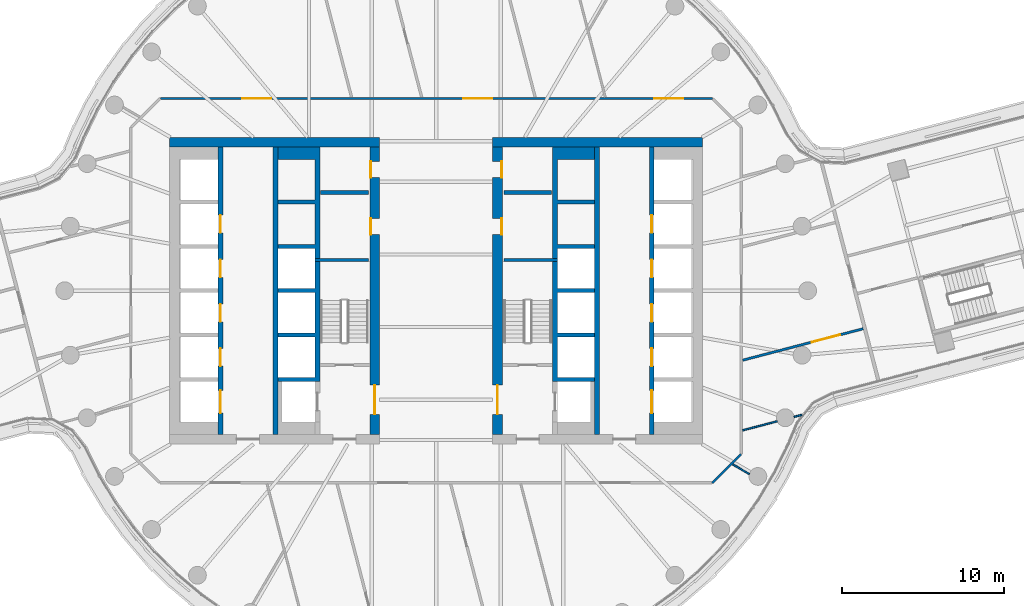
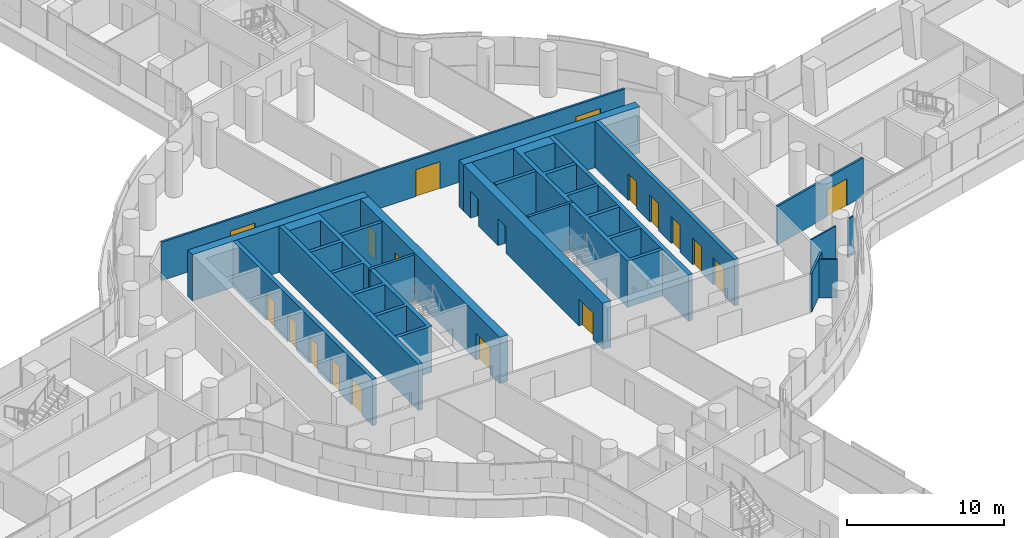
# One storey, part 20 of 30: 20 doors, 20 walls, 20 openings.
"""IFC4 building model written with IfcOpenShell, lengths in metres."""

from ifc_helpers import new_model, si_unit, direction, frame, frame_2d, origin, place, context, subcontext, project, spatial, polyline, rectangle, outline, extrude, material, layer, layer_set, type_object, element, fill, save


model = new_model("IFC4")

# Units and contexts
model_context = context("Model", 3, precision=1e-05, world=origin(), true_north=direction((0.0, 1.0)))
body_context = subcontext(model_context, "Body", "Model", "MODEL_VIEW")
ifc_project = project(units=[si_unit("LENGTHUNIT", "METRE"), si_unit("AREAUNIT", "SQUARE_METRE"), si_unit("VOLUMEUNIT", "CUBIC_METRE"), si_unit("PLANEANGLEUNIT", "RADIAN"), si_unit("MASSUNIT", "GRAM", prefix="KILO")], contexts=[model_context])

# Site, building, storey
site_placement = place(None, origin())
site = spatial("IfcSite", under=ifc_project, at=site_placement, CompositionType="ELEMENT")
building_placement = place(site_placement, origin())
building = spatial("IfcBuilding", under=site, at=building_placement, Name="Tamarind Cross Interchange Tower", CompositionType="ELEMENT")
storey_placement = place(building_placement, frame((0.0, 0.0, 87.25)))
storey = spatial("IfcBuildingStorey", under=building, at=storey_placement, Name="L20", CompositionType="ELEMENT", Elevation=87.25)

# Wall
ifc_material_1 = material(Name="Concrete C70", Category="concrete")
ifc_layer_1 = layer(ifc_material_1, 0.60009765625)
ifc_layer_set_1 = layer_set([ifc_layer_1], Name="Concrete C70")
wall_type_1 = type_object("IfcWallType", Name="Core wall 600 mm Concrete C70", PredefinedType="SHEAR", material=ifc_layer_set_1)
wall_1_placement = place(storey_placement, frame((-16.5, 9.199951171875, 0.0), z_axis=(0.0, 0.0, 1.0), x_axis=(1.0, 0.0, 0.0)))
element("IfcWall", 1, at=wall_1_placement, inside=storey, type_object=wall_type_1, Name="Core wall CWL-L20-W-NE", PredefinedType="SHEAR", context=body_context, shape_type="SweptSolid", body=[
    extrude(rectangle(XDim=13.0, YDim=0.60009765625, at=frame_2d((6.5, 0.0))), origin(), (0.0, 0.0, 1.0), 3.610107421875),
])

# Wall, openings, doors
wall_2_placement = place(storey_placement, frame((-3.800048828125, -8.89990234375, 0.0), z_axis=(0.0, 0.0, 1.0), x_axis=(0.0, 1.0, 0.0)))
wall_2 = element("IfcWall", 2, at=wall_2_placement, inside=storey, type_object=wall_type_1, Name="Core wall CWL-L20-W-IN", PredefinedType="SHEAR", context=body_context, shape_type="SweptSolid", body=[
    extrude(rectangle(XDim=17.7998046875, YDim=0.60009765625, at=frame_2d((8.89990234375, 0.0))), origin(), (0.0, 0.0, 1.0), 3.610107421875),
])
opening_1_placement = place(wall_2_placement, frame((1.25, 0.0, 0.0)))
opening_1 = element("IfcOpeningElement", 3, at=opening_1_placement, cuts=wall_2, Name="Opening DCW4", PredefinedType="OPENING", context=body_context, shape_type="SweptSolid", body=[
    extrude(rectangle(XDim=1.800048828125, YDim=2.10009765625, at=frame_2d((0.89990234375, 1.050048828125))), frame((0.0, 0.31005859375, 0.0), z_axis=(0.0, -1.0, 0.0), x_axis=(1.0, 0.0, 0.0)), (0.0, 0.0, 1.0), 0.6201171875),
])
opening_2_placement = place(wall_2_placement, frame((12.37744140625, 0.0, 0.0)))
opening_2 = element("IfcOpeningElement", 4, at=opening_2_placement, cuts=wall_2, Name="Opening DCW5", PredefinedType="OPENING", context=body_context, shape_type="SweptSolid", body=[
    extrude(rectangle(XDim=1.0, YDim=2.10009765625, at=frame_2d((0.5, 1.050048828125))), frame((0.0, 0.31005859375, 0.0), z_axis=(0.0, -1.0, 0.0), x_axis=(1.0, 0.0, 0.0)), (0.0, 0.0, 1.0), 0.6201171875),
])
opening_3_placement = place(wall_2_placement, frame((15.902587890625, 0.0, 0.0)))
opening_3 = element("IfcOpeningElement", 5, at=opening_3_placement, cuts=wall_2, Name="Opening DCW5", PredefinedType="OPENING", context=body_context, shape_type="SweptSolid", body=[
    extrude(rectangle(XDim=1.0, YDim=2.10009765625, at=frame_2d((0.5, 1.050048828125))), frame((0.0, 0.31005859375, 0.0), z_axis=(0.0, -1.0, 0.0), x_axis=(1.0, 0.0, 0.0)), (0.0, 0.0, 1.0), 0.6201171875),
])
ifc_material_2 = material(Name="Steel, fire-resisting", Category="steel")
door_type_1 = type_object("IfcDoorType", Name="Core fire door 1000 x 2100 FD90", OperationType="SINGLE_SWING_LEFT", PredefinedType="DOOR", material=ifc_material_2)
door_1_placement = place(opening_2_placement, origin())
door_1 = element("IfcDoor", 6, at=door_1_placement, inside=storey, type_object=door_type_1, Name="L20 cleaner's store door", OperationType="SINGLE_SWING_LEFT", OverallHeight=2.10009765625, OverallWidth=1.0, PredefinedType="DOOR", context=body_context, shape_type="SweptSolid", body=[
    extrude(rectangle(XDim=1.0, YDim=2.10009765625, at=frame_2d((0.5, 1.050048828125))), frame((0.0, 0.27490234375, 0.0), z_axis=(0.0, -1.0, 0.0), x_axis=(1.0, 0.0, 0.0)), (0.0, 0.0, 1.0), 0.050048828125),
])
fill(opening_2, door_1)
door_2_placement = place(opening_3_placement, origin())
door_2 = element("IfcDoor", 7, at=door_2_placement, inside=storey, type_object=door_type_1, Name="L20 comms room door", OperationType="SINGLE_SWING_LEFT", OverallHeight=2.10009765625, OverallWidth=1.0, PredefinedType="DOOR", context=body_context, shape_type="SweptSolid", body=[
    extrude(rectangle(XDim=1.0, YDim=2.10009765625, at=frame_2d((0.5, 1.050048828125))), frame((0.0, 0.27490234375, 0.0), z_axis=(0.0, -1.0, 0.0), x_axis=(1.0, 0.0, 0.0)), (0.0, 0.0, 1.0), 0.050048828125),
])
fill(opening_3, door_2)
door_type_2 = type_object("IfcDoorType", Name="Core fire door 1800 x 2100 FD90", OperationType="SINGLE_SWING_LEFT", PredefinedType="DOOR", material=ifc_material_2)
door_3_placement = place(opening_1_placement, origin())
door_3 = element("IfcDoor", 8, at=door_3_placement, inside=storey, type_object=door_type_2, Name="L20 firefighting lobby door", OperationType="SINGLE_SWING_LEFT", OverallHeight=2.10009765625, OverallWidth=1.800048828125, PredefinedType="DOOR", context=body_context, shape_type="SweptSolid", body=[
    extrude(rectangle(XDim=1.800048828125, YDim=2.10009765625, at=frame_2d((0.89990234375, 1.050048828125))), frame((0.0, 0.02490234375, 0.0), z_axis=(0.0, -1.0, 0.0), x_axis=(1.0, 0.0, 0.0)), (0.0, 0.0, 1.0), 0.050048828125),
])
fill(opening_1, door_3)

# Wall
wall_3_placement = place(storey_placement, frame((16.5, 9.199951171875, 0.0), z_axis=(0.0, 0.0, 1.0), x_axis=(-1.0, 0.0, 0.0)))
element("IfcWall", 9, at=wall_3_placement, inside=storey, type_object=wall_type_1, Name="Core wall CWL-L20-E-NE", PredefinedType="SHEAR", context=body_context, shape_type="SweptSolid", body=[
    extrude(rectangle(XDim=13.0, YDim=0.60009765625, at=frame_2d((6.5, 0.0))), origin(), (0.0, 0.0, 1.0), 3.610107421875),
])

# Wall, openings, doors
wall_4_placement = place(storey_placement, frame((3.800048828125, -8.89990234375, 0.0), z_axis=(0.0, 0.0, 1.0), x_axis=(0.0, 1.0, 0.0)))
wall_4 = element("IfcWall", 10, at=wall_4_placement, inside=storey, type_object=wall_type_1, Name="Core wall CWL-L20-E-IN", PredefinedType="SHEAR", context=body_context, shape_type="SweptSolid", body=[
    extrude(rectangle(XDim=17.7998046875, YDim=0.60009765625, at=frame_2d((8.89990234375, 0.0))), origin(), (0.0, 0.0, 1.0), 3.610107421875),
])
opening_4_placement = place(wall_4_placement, frame((1.25, 0.0, 0.0)))
opening_4 = element("IfcOpeningElement", 11, at=opening_4_placement, cuts=wall_4, Name="Opening DCE4", PredefinedType="OPENING", context=body_context, shape_type="SweptSolid", body=[
    extrude(rectangle(XDim=1.800048828125, YDim=2.10009765625, at=frame_2d((0.89990234375, 1.050048828125))), frame((0.0, 0.31005859375, 0.0), z_axis=(0.0, -1.0, 0.0), x_axis=(1.0, 0.0, 0.0)), (0.0, 0.0, 1.0), 0.6201171875),
])
opening_5_placement = place(wall_4_placement, frame((12.37744140625, 0.0, 0.0)))
opening_5 = element("IfcOpeningElement", 12, at=opening_5_placement, cuts=wall_4, Name="Opening DCE5", PredefinedType="OPENING", context=body_context, shape_type="SweptSolid", body=[
    extrude(rectangle(XDim=1.0, YDim=2.10009765625, at=frame_2d((0.5, 1.050048828125))), frame((0.0, 0.31005859375, 0.0), z_axis=(0.0, -1.0, 0.0), x_axis=(1.0, 0.0, 0.0)), (0.0, 0.0, 1.0), 0.6201171875),
])
opening_6_placement = place(wall_4_placement, frame((15.902587890625, 0.0, 0.0)))
opening_6 = element("IfcOpeningElement", 13, at=opening_6_placement, cuts=wall_4, Name="Opening DCE5", PredefinedType="OPENING", context=body_context, shape_type="SweptSolid", body=[
    extrude(rectangle(XDim=1.0, YDim=2.10009765625, at=frame_2d((0.5, 1.050048828125))), frame((0.0, 0.31005859375, 0.0), z_axis=(0.0, -1.0, 0.0), x_axis=(1.0, 0.0, 0.0)), (0.0, 0.0, 1.0), 0.6201171875),
])
door_4_placement = place(opening_5_placement, origin())
door_4 = element("IfcDoor", 14, at=door_4_placement, inside=storey, type_object=door_type_1, Name="L20 cleaner's store door", OperationType="SINGLE_SWING_LEFT", OverallHeight=2.10009765625, OverallWidth=1.0, PredefinedType="DOOR", context=body_context, shape_type="SweptSolid", body=[
    extrude(rectangle(XDim=1.0, YDim=2.10009765625, at=frame_2d((0.5, 1.050048828125))), frame((0.0, -0.22509765625, 0.0), z_axis=(0.0, -1.0, 0.0), x_axis=(1.0, 0.0, 0.0)), (0.0, 0.0, 1.0), 0.050048828125),
])
fill(opening_5, door_4)
door_5_placement = place(opening_6_placement, origin())
door_5 = element("IfcDoor", 15, at=door_5_placement, inside=storey, type_object=door_type_1, Name="L20 comms room door", OperationType="SINGLE_SWING_LEFT", OverallHeight=2.10009765625, OverallWidth=1.0, PredefinedType="DOOR", context=body_context, shape_type="SweptSolid", body=[
    extrude(rectangle(XDim=1.0, YDim=2.10009765625, at=frame_2d((0.5, 1.050048828125))), frame((0.0, -0.22509765625, 0.0), z_axis=(0.0, -1.0, 0.0), x_axis=(1.0, 0.0, 0.0)), (0.0, 0.0, 1.0), 0.050048828125),
])
fill(opening_6, door_5)
door_6_placement = place(opening_4_placement, origin())
door_6 = element("IfcDoor", 16, at=door_6_placement, inside=storey, type_object=door_type_2, Name="L20 firefighting lobby door", OperationType="SINGLE_SWING_LEFT", OverallHeight=2.10009765625, OverallWidth=1.800048828125, PredefinedType="DOOR", context=body_context, shape_type="SweptSolid", body=[
    extrude(rectangle(XDim=1.800048828125, YDim=2.10009765625, at=frame_2d((0.89990234375, 1.050048828125))), frame((0.0, 0.02490234375, 0.0), z_axis=(0.0, -1.0, 0.0), x_axis=(1.0, 0.0, 0.0)), (0.0, 0.0, 1.0), 0.050048828125),
])
fill(opening_4, door_6)

# Walls
ifc_layer_2 = layer(ifc_material_1, 0.199951171875)
ifc_layer_set_2 = layer_set([ifc_layer_2], Name="Concrete C70")
wall_type_2 = type_object("IfcWallType", Name="Core web wall 200 mm Concrete C70", PredefinedType="SHEAR", material=ifc_layer_set_2)
for number, where, z_axis, x_axis, name in (
    (17, (-7.5, 1.89990234375, 0.0), (0.0, 0.0, 1.0), (1.0, 0.0, 0.0), "Core wall CWL-L20-W-BD"),
    (18, (7.5, 1.89990234375, 0.0), (0.0, 0.0, 1.0), (-1.0, 0.0, 0.0), "Core wall CWL-L20-E-BD"),
):
    element("IfcWall", number, at=place(storey_placement, frame(where, z_axis=z_axis, x_axis=x_axis)), inside=storey, type_object=wall_type_2, Name=name, PredefinedType="SHEAR", context=body_context, shape_type="SweptSolid", body=[
        extrude(rectangle(XDim=3.300048828125, YDim=0.199951171875, at=frame_2d((1.64990234375, 0.0))), origin(), (0.0, 0.0, 1.0), 3.610107421875),
    ])
ifc_layer_3 = layer(ifc_material_1, 0.300048828125)
ifc_layer_set_3 = layer_set([ifc_layer_3], Name="Concrete C70")
wall_type_3 = type_object("IfcWallType", Name="Core web wall 300 mm Concrete C70", PredefinedType="SHEAR", material=ifc_layer_set_3)
wall_5_placement = place(storey_placement, origin())
element("IfcWall", 19, at=wall_5_placement, inside=storey, type_object=wall_type_3, Name="Core wall CWL-L20-W-BN", PredefinedType="SHEAR", context=body_context, shape_type="SweptSolid", body=[
    extrude(outline(polyline([(-9.800048828125, -5.375), (-9.800048828125, -5.625), (-7.5, -5.625), (-7.199951171875, -5.625), (-7.199951171875, 8.89990234375), (-7.5, 8.89990234375), (-9.800048828125, 8.89990234375), (-9.800048828125, 8.125), (-7.5, 8.125), (-7.5, 5.625), (-9.800048828125, 5.625), (-9.800048828125, 5.375), (-7.5, 5.375), (-7.5, 2.875), (-9.800048828125, 2.875), (-9.800048828125, 2.625), (-7.5, 2.625), (-7.5, 0.125), (-9.800048828125, 0.125), (-9.800048828125, -0.125), (-7.5, -0.125), (-7.5, -2.625), (-9.800048828125, -2.625), (-9.800048828125, -2.875), (-7.5, -2.875), (-7.5, -5.375), (-9.800048828125, -5.375)])), origin(), (0.0, 0.0, 1.0), 3.610107421875),
])

# Wall, openings, doors
wall_6_placement = place(storey_placement, frame((-13.35009765625, -8.89990234375, 0.0), z_axis=(0.0, 0.0, 1.0), x_axis=(0.0, 1.0, 0.0)))
wall_6 = element("IfcWall", 20, at=wall_6_placement, inside=storey, type_object=wall_type_3, Name="Core wall CWL-L20-W-LA", PredefinedType="SHEAR", context=body_context, shape_type="SweptSolid", body=[
    extrude(rectangle(XDim=17.7998046875, YDim=0.300048828125, at=frame_2d((8.89990234375, 0.0))), origin(), (0.0, 0.0, 1.0), 3.610107421875),
])
opening_7_placement = place(wall_6_placement, frame((1.324951171875, 0.0, 0.0)))
opening_7 = element("IfcOpeningElement", 21, at=opening_7_placement, cuts=wall_6, Name="Opening LD1L20", PredefinedType="OPENING", context=body_context, shape_type="SweptSolid", body=[
    extrude(rectangle(XDim=1.39990234375, YDim=2.10009765625, at=frame_2d((0.699951171875, 1.050048828125))), frame((0.0, 0.159912109375, 0.0), z_axis=(0.0, -1.0, 0.0), x_axis=(1.0, 0.0, 0.0)), (0.0, 0.0, 1.0), 0.320068359375),
])
opening_8_placement = place(wall_6_placement, frame((4.22509765625, 0.0, 0.0)))
opening_8 = element("IfcOpeningElement", 22, at=opening_8_placement, cuts=wall_6, Name="Opening LD2L20", PredefinedType="OPENING", context=body_context, shape_type="SweptSolid", body=[
    extrude(rectangle(XDim=1.10009765625, YDim=2.10009765625, at=frame_2d((0.550048828125, 1.050048828125))), frame((0.0, 0.159912109375, 0.0), z_axis=(0.0, -1.0, 0.0), x_axis=(1.0, 0.0, 0.0)), (0.0, 0.0, 1.0), 0.320068359375),
])
opening_9_placement = place(wall_6_placement, frame((6.97509765625, 0.0, 0.0)))
opening_9 = element("IfcOpeningElement", 23, at=opening_9_placement, cuts=wall_6, Name="Opening LD3L20", PredefinedType="OPENING", context=body_context, shape_type="SweptSolid", body=[
    extrude(rectangle(XDim=1.10009765625, YDim=2.10009765625, at=frame_2d((0.550048828125, 1.050048828125))), frame((0.0, 0.159912109375, 0.0), z_axis=(0.0, -1.0, 0.0), x_axis=(1.0, 0.0, 0.0)), (0.0, 0.0, 1.0), 0.320068359375),
])
opening_10_placement = place(wall_6_placement, frame((9.72509765625, 0.0, 0.0)))
opening_10 = element("IfcOpeningElement", 24, at=opening_10_placement, cuts=wall_6, Name="Opening LD4L20", PredefinedType="OPENING", context=body_context, shape_type="SweptSolid", body=[
    extrude(rectangle(XDim=1.10009765625, YDim=2.10009765625, at=frame_2d((0.550048828125, 1.050048828125))), frame((0.0, 0.159912109375, 0.0), z_axis=(0.0, -1.0, 0.0), x_axis=(1.0, 0.0, 0.0)), (0.0, 0.0, 1.0), 0.320068359375),
])
opening_11_placement = place(wall_6_placement, frame((12.47509765625, 0.0, 0.0)))
opening_11 = element("IfcOpeningElement", 25, at=opening_11_placement, cuts=wall_6, Name="Opening LD5L20", PredefinedType="OPENING", context=body_context, shape_type="SweptSolid", body=[
    extrude(rectangle(XDim=1.10009765625, YDim=2.10009765625, at=frame_2d((0.550048828125, 1.050048828125))), frame((0.0, 0.159912109375, 0.0), z_axis=(0.0, -1.0, 0.0), x_axis=(1.0, 0.0, 0.0)), (0.0, 0.0, 1.0), 0.320068359375),
])
ifc_material_3 = material(Name="Stainless steel panel", Category="steel")
door_type_3 = type_object("IfcDoorType", Name="Lift landing door 1100 x 2100 E 120", OperationType="SLIDING_TO_LEFT", PredefinedType="DOOR", material=ifc_material_3)
door_7_placement = place(opening_8_placement, origin())
door_7 = element("IfcDoor", 26, at=door_7_placement, inside=storey, type_object=door_type_3, Name="L20 landing door LF2", OperationType="SLIDING_TO_LEFT", OverallHeight=2.10009765625, OverallWidth=1.10009765625, PredefinedType="DOOR", context=body_context, shape_type="SweptSolid", body=[
    extrude(rectangle(XDim=1.10009765625, YDim=2.10009765625, at=frame_2d((0.550048828125, 1.050048828125))), frame((0.0, 0.02490234375, 0.0), z_axis=(0.0, -1.0, 0.0), x_axis=(1.0, 0.0, 0.0)), (0.0, 0.0, 1.0), 0.050048828125),
])
fill(opening_8, door_7)
door_8_placement = place(opening_9_placement, origin())
door_8 = element("IfcDoor", 27, at=door_8_placement, inside=storey, type_object=door_type_3, Name="L20 landing door LF3", OperationType="SLIDING_TO_LEFT", OverallHeight=2.10009765625, OverallWidth=1.10009765625, PredefinedType="DOOR", context=body_context, shape_type="SweptSolid", body=[
    extrude(rectangle(XDim=1.10009765625, YDim=2.10009765625, at=frame_2d((0.550048828125, 1.050048828125))), frame((0.0, 0.02490234375, 0.0), z_axis=(0.0, -1.0, 0.0), x_axis=(1.0, 0.0, 0.0)), (0.0, 0.0, 1.0), 0.050048828125),
])
fill(opening_9, door_8)
door_9_placement = place(opening_10_placement, origin())
door_9 = element("IfcDoor", 28, at=door_9_placement, inside=storey, type_object=door_type_3, Name="L20 landing door LF4", OperationType="SLIDING_TO_LEFT", OverallHeight=2.10009765625, OverallWidth=1.10009765625, PredefinedType="DOOR", context=body_context, shape_type="SweptSolid", body=[
    extrude(rectangle(XDim=1.10009765625, YDim=2.10009765625, at=frame_2d((0.550048828125, 1.050048828125))), frame((0.0, 0.02490234375, 0.0), z_axis=(0.0, -1.0, 0.0), x_axis=(1.0, 0.0, 0.0)), (0.0, 0.0, 1.0), 0.050048828125),
])
fill(opening_10, door_9)
door_10_placement = place(opening_11_placement, origin())
door_10 = element("IfcDoor", 29, at=door_10_placement, inside=storey, type_object=door_type_3, Name="L20 landing door LF5", OperationType="SLIDING_TO_LEFT", OverallHeight=2.10009765625, OverallWidth=1.10009765625, PredefinedType="DOOR", context=body_context, shape_type="SweptSolid", body=[
    extrude(rectangle(XDim=1.10009765625, YDim=2.10009765625, at=frame_2d((0.550048828125, 1.050048828125))), frame((0.0, 0.02490234375, 0.0), z_axis=(0.0, -1.0, 0.0), x_axis=(1.0, 0.0, 0.0)), (0.0, 0.0, 1.0), 0.050048828125),
])
fill(opening_11, door_10)
door_type_4 = type_object("IfcDoorType", Name="Lift landing door 1400 x 2100 E 120", OperationType="SLIDING_TO_LEFT", PredefinedType="DOOR", material=ifc_material_3)
door_11_placement = place(opening_7_placement, origin())
door_11 = element("IfcDoor", 30, at=door_11_placement, inside=storey, type_object=door_type_4, Name="L20 landing door LF1", OperationType="SLIDING_TO_LEFT", OverallHeight=2.10009765625, OverallWidth=1.39990234375, PredefinedType="DOOR", context=body_context, shape_type="SweptSolid", body=[
    extrude(rectangle(XDim=1.39990234375, YDim=2.10009765625, at=frame_2d((0.699951171875, 1.050048828125))), frame((0.0, 0.02490234375, 0.0), z_axis=(0.0, -1.0, 0.0), x_axis=(1.0, 0.0, 0.0)), (0.0, 0.0, 1.0), 0.050048828125),
])
fill(opening_7, door_11)

# Walls
wall_7_placement = place(storey_placement, frame((-9.949951171875, -8.89990234375, 0.0), z_axis=(0.0, 0.0, 1.0), x_axis=(0.0, 1.0, 0.0)))
element("IfcWall", 31, at=wall_7_placement, inside=storey, type_object=wall_type_3, Name="Core wall CWL-L20-W-LB", PredefinedType="SHEAR", context=body_context, shape_type="SweptSolid", body=[
    extrude(rectangle(XDim=17.7998046875, YDim=0.300048828125, at=frame_2d((8.89990234375, 0.0))), origin(), (0.0, 0.0, 1.0), 3.610107421875),
])
wall_8_placement = place(storey_placement, origin())
element("IfcWall", 32, at=wall_8_placement, inside=storey, type_object=wall_type_3, Name="Core wall CWL-L20-E-BN", PredefinedType="SHEAR", context=body_context, shape_type="SweptSolid", body=[
    extrude(outline(polyline([(9.800048828125, -5.375), (7.5, -5.375), (7.5, -2.875), (9.800048828125, -2.875), (9.800048828125, -2.625), (7.5, -2.625), (7.5, -0.125), (9.800048828125, -0.125), (9.800048828125, 0.125), (7.5, 0.125), (7.5, 2.625), (9.800048828125, 2.625), (9.800048828125, 2.875), (7.5, 2.875), (7.5, 5.375), (9.800048828125, 5.375), (9.800048828125, 5.625), (7.5, 5.625), (7.5, 8.125), (9.800048828125, 8.125), (9.800048828125, 8.89990234375), (7.5, 8.89990234375), (7.199951171875, 8.89990234375), (7.199951171875, -5.625), (7.5, -5.625), (9.800048828125, -5.625), (9.800048828125, -5.375)])), origin(), (0.0, 0.0, 1.0), 3.610107421875),
])

# Wall, openings, doors
wall_9_placement = place(storey_placement, frame((13.35009765625, -8.89990234375, 0.0), z_axis=(0.0, 0.0, 1.0), x_axis=(0.0, 1.0, 0.0)))
wall_9 = element("IfcWall", 33, at=wall_9_placement, inside=storey, type_object=wall_type_3, Name="Core wall CWL-L20-E-LA", PredefinedType="SHEAR", context=body_context, shape_type="SweptSolid", body=[
    extrude(rectangle(XDim=17.7998046875, YDim=0.300048828125, at=frame_2d((8.89990234375, 0.0))), origin(), (0.0, 0.0, 1.0), 3.610107421875),
])
opening_12_placement = place(wall_9_placement, frame((1.324951171875, 0.0, 0.0)))
opening_12 = element("IfcOpeningElement", 34, at=opening_12_placement, cuts=wall_9, Name="Opening LD13L20", PredefinedType="OPENING", context=body_context, shape_type="SweptSolid", body=[
    extrude(rectangle(XDim=1.39990234375, YDim=2.10009765625, at=frame_2d((0.699951171875, 1.050048828125))), frame((0.0, 0.159912109375, 0.0), z_axis=(0.0, -1.0, 0.0), x_axis=(1.0, 0.0, 0.0)), (0.0, 0.0, 1.0), 0.320068359375),
])
opening_13_placement = place(wall_9_placement, frame((4.22509765625, 0.0, 0.0)))
opening_13 = element("IfcOpeningElement", 35, at=opening_13_placement, cuts=wall_9, Name="Opening LD14L20", PredefinedType="OPENING", context=body_context, shape_type="SweptSolid", body=[
    extrude(rectangle(XDim=1.10009765625, YDim=2.10009765625, at=frame_2d((0.550048828125, 1.050048828125))), frame((0.0, 0.159912109375, 0.0), z_axis=(0.0, -1.0, 0.0), x_axis=(1.0, 0.0, 0.0)), (0.0, 0.0, 1.0), 0.320068359375),
])
opening_14_placement = place(wall_9_placement, frame((6.97509765625, 0.0, 0.0)))
opening_14 = element("IfcOpeningElement", 36, at=opening_14_placement, cuts=wall_9, Name="Opening LD15L20", PredefinedType="OPENING", context=body_context, shape_type="SweptSolid", body=[
    extrude(rectangle(XDim=1.10009765625, YDim=2.10009765625, at=frame_2d((0.550048828125, 1.050048828125))), frame((0.0, 0.159912109375, 0.0), z_axis=(0.0, -1.0, 0.0), x_axis=(1.0, 0.0, 0.0)), (0.0, 0.0, 1.0), 0.320068359375),
])
opening_15_placement = place(wall_9_placement, frame((9.72509765625, 0.0, 0.0)))
opening_15 = element("IfcOpeningElement", 37, at=opening_15_placement, cuts=wall_9, Name="Opening LD16L20", PredefinedType="OPENING", context=body_context, shape_type="SweptSolid", body=[
    extrude(rectangle(XDim=1.10009765625, YDim=2.10009765625, at=frame_2d((0.550048828125, 1.050048828125))), frame((0.0, 0.159912109375, 0.0), z_axis=(0.0, -1.0, 0.0), x_axis=(1.0, 0.0, 0.0)), (0.0, 0.0, 1.0), 0.320068359375),
])
opening_16_placement = place(wall_9_placement, frame((12.47509765625, 0.0, 0.0)))
opening_16 = element("IfcOpeningElement", 38, at=opening_16_placement, cuts=wall_9, Name="Opening LD17L20", PredefinedType="OPENING", context=body_context, shape_type="SweptSolid", body=[
    extrude(rectangle(XDim=1.10009765625, YDim=2.10009765625, at=frame_2d((0.550048828125, 1.050048828125))), frame((0.0, 0.159912109375, 0.0), z_axis=(0.0, -1.0, 0.0), x_axis=(1.0, 0.0, 0.0)), (0.0, 0.0, 1.0), 0.320068359375),
])
door_12_placement = place(opening_13_placement, origin())
door_12 = element("IfcDoor", 39, at=door_12_placement, inside=storey, type_object=door_type_3, Name="L20 landing door LF14", OperationType="SLIDING_TO_LEFT", OverallHeight=2.10009765625, OverallWidth=1.10009765625, PredefinedType="DOOR", context=body_context, shape_type="SweptSolid", body=[
    extrude(rectangle(XDim=1.10009765625, YDim=2.10009765625, at=frame_2d((0.550048828125, 1.050048828125))), frame((0.0, 0.02490234375, 0.0), z_axis=(0.0, -1.0, 0.0), x_axis=(1.0, 0.0, 0.0)), (0.0, 0.0, 1.0), 0.050048828125),
])
fill(opening_13, door_12)
door_13_placement = place(opening_14_placement, origin())
door_13 = element("IfcDoor", 40, at=door_13_placement, inside=storey, type_object=door_type_3, Name="L20 landing door LF15", OperationType="SLIDING_TO_LEFT", OverallHeight=2.10009765625, OverallWidth=1.10009765625, PredefinedType="DOOR", context=body_context, shape_type="SweptSolid", body=[
    extrude(rectangle(XDim=1.10009765625, YDim=2.10009765625, at=frame_2d((0.550048828125, 1.050048828125))), frame((0.0, 0.02490234375, 0.0), z_axis=(0.0, -1.0, 0.0), x_axis=(1.0, 0.0, 0.0)), (0.0, 0.0, 1.0), 0.050048828125),
])
fill(opening_14, door_13)
door_14_placement = place(opening_15_placement, origin())
door_14 = element("IfcDoor", 41, at=door_14_placement, inside=storey, type_object=door_type_3, Name="L20 landing door LF16", OperationType="SLIDING_TO_LEFT", OverallHeight=2.10009765625, OverallWidth=1.10009765625, PredefinedType="DOOR", context=body_context, shape_type="SweptSolid", body=[
    extrude(rectangle(XDim=1.10009765625, YDim=2.10009765625, at=frame_2d((0.550048828125, 1.050048828125))), frame((0.0, 0.02490234375, 0.0), z_axis=(0.0, -1.0, 0.0), x_axis=(1.0, 0.0, 0.0)), (0.0, 0.0, 1.0), 0.050048828125),
])
fill(opening_15, door_14)
door_15_placement = place(opening_16_placement, origin())
door_15 = element("IfcDoor", 42, at=door_15_placement, inside=storey, type_object=door_type_3, Name="L20 landing door LF17", OperationType="SLIDING_TO_LEFT", OverallHeight=2.10009765625, OverallWidth=1.10009765625, PredefinedType="DOOR", context=body_context, shape_type="SweptSolid", body=[
    extrude(rectangle(XDim=1.10009765625, YDim=2.10009765625, at=frame_2d((0.550048828125, 1.050048828125))), frame((0.0, 0.02490234375, 0.0), z_axis=(0.0, -1.0, 0.0), x_axis=(1.0, 0.0, 0.0)), (0.0, 0.0, 1.0), 0.050048828125),
])
fill(opening_16, door_15)
door_16_placement = place(opening_12_placement, origin())
door_16 = element("IfcDoor", 43, at=door_16_placement, inside=storey, type_object=door_type_4, Name="L20 landing door LF13", OperationType="SLIDING_TO_LEFT", OverallHeight=2.10009765625, OverallWidth=1.39990234375, PredefinedType="DOOR", context=body_context, shape_type="SweptSolid", body=[
    extrude(rectangle(XDim=1.39990234375, YDim=2.10009765625, at=frame_2d((0.699951171875, 1.050048828125))), frame((0.0, 0.02490234375, 0.0), z_axis=(0.0, -1.0, 0.0), x_axis=(1.0, 0.0, 0.0)), (0.0, 0.0, 1.0), 0.050048828125),
])
fill(opening_12, door_16)

# Walls
wall_10_placement = place(storey_placement, frame((9.949951171875, -8.89990234375, 0.0), z_axis=(0.0, 0.0, 1.0), x_axis=(0.0, 1.0, 0.0)))
element("IfcWall", 44, at=wall_10_placement, inside=storey, type_object=wall_type_3, Name="Core wall CWL-L20-E-LB", PredefinedType="SHEAR", context=body_context, shape_type="SweptSolid", body=[
    extrude(rectangle(XDim=17.7998046875, YDim=0.300048828125, at=frame_2d((8.89990234375, 0.0))), origin(), (0.0, 0.0, 1.0), 3.610107421875),
])
ifc_material_4 = material(Name="Gypsum board partition on steel studs", Category="steel")
ifc_layer_4 = layer(ifc_material_4, 0.10009765625)
ifc_layer_set_4 = layer_set([ifc_layer_4], Name="Gypsum board partition on steel studs")
wall_type_4 = type_object("IfcWallType", Name="Partition 100 mm EI 90", PredefinedType="PARTITIONING", material=ifc_layer_set_4)
wall_11_placement = place(storey_placement, frame((18.3603515625, -10.75390625, 0.0), z_axis=(0.0, 0.0, 1.0), x_axis=(0.862847876535, -0.50546369005, 0.0)))
element("IfcWall", 45, at=wall_11_placement, inside=storey, type_object=wall_type_4, Name="Partition L20-034", PredefinedType="PARTITIONING", context=body_context, shape_type="SweptSolid", body=[
    extrude(rectangle(XDim=1.2001953125, YDim=0.10009765625, at=frame_2d((0.60009765625, 0.0))), origin(), (0.0, 0.0, 1.0), 3.010009765625),
])
wall_12_placement = place(storey_placement, frame((18.9677734375, -8.646240234375, 0.0), z_axis=(0.0, 0.0, 1.0), x_axis=(0.967589185471, 0.252529539182, 0.0)))
element("IfcWall", 46, at=wall_12_placement, inside=storey, type_object=wall_type_4, Name="Partition L20-072", PredefinedType="PARTITIONING", context=body_context, shape_type="SweptSolid", body=[
    extrude(rectangle(XDim=2.2158203125, YDim=0.10009765625, at=frame_2d((1.10791015625, 0.0))), origin(), (0.0, 0.0, 1.0), 3.010009765625),
])
wall_13_placement = place(storey_placement, frame((22.15869140625, -7.8134765625, 0.0), z_axis=(0.0, 0.0, 1.0), x_axis=(0.967507265898, 0.252843213146, 0.0)))
element("IfcWall", 47, at=wall_13_placement, inside=storey, type_object=wall_type_4, Name="Partition L20-073", PredefinedType="PARTITIONING", context=body_context, shape_type="SweptSolid", body=[
    extrude(rectangle(XDim=0.495361328125, YDim=0.10009765625, at=frame_2d((0.24755859375, 0.0))), origin(), (0.0, 0.0, 1.0), 3.010009765625),
])

# Wall, openings, doors
ifc_layer_5 = layer(ifc_material_4, 0.14990234375)
ifc_layer_set_5 = layer_set([ifc_layer_5], Name="Gypsum board partition on steel studs")
wall_type_5 = type_object("IfcWallType", Name="Partition 150 mm EI 120", PredefinedType="PARTITIONING", material=ifc_layer_set_5)
wall_14_placement = place(storey_placement, frame((-17.06494140625, 11.89990234375, 0.0), z_axis=(0.0, 0.0, 1.0), x_axis=(1.0, 0.0, 0.0)))
wall_14 = element("IfcWall", 48, at=wall_14_placement, inside=storey, type_object=wall_type_5, Name="Partition L20-036", PredefinedType="PARTITIONING", context=body_context, shape_type="SweptSolid", body=[
    extrude(rectangle(XDim=34.1650390625, YDim=0.14990234375, at=frame_2d((17.08251953125, 0.0))), origin(), (0.0, 0.0, 1.0), 3.010009765625),
])
opening_17_placement = place(wall_14_placement, frame((18.737060546875, 0.0, 0.0)))
opening_17 = element("IfcOpeningElement", 49, at=opening_17_placement, cuts=wall_14, Name="Opening D23", PredefinedType="OPENING", context=body_context, shape_type="SweptSolid", body=[
    extrude(rectangle(XDim=1.800048828125, YDim=2.10009765625, at=frame_2d((0.89990234375, 1.050048828125))), frame((0.0, 0.0849609375, 0.0), z_axis=(0.0, -1.0, 0.0), x_axis=(1.0, 0.0, 0.0)), (0.0, 0.0, 1.0), 0.169921875),
])
opening_18_placement = place(wall_14_placement, frame((30.555908203125, 0.0, 0.0)))
opening_18 = element("IfcOpeningElement", 50, at=opening_18_placement, cuts=wall_14, Name="Opening D24", PredefinedType="OPENING", context=body_context, shape_type="SweptSolid", body=[
    extrude(rectangle(XDim=1.800048828125, YDim=2.10009765625, at=frame_2d((0.89990234375, 1.050048828125))), frame((0.0, 0.0849609375, 0.0), z_axis=(0.0, -1.0, 0.0), x_axis=(1.0, 0.0, 0.0)), (0.0, 0.0, 1.0), 0.169921875),
])
opening_19_placement = place(wall_14_placement, frame((5.06494140625, 0.0, 0.0)))
opening_19 = element("IfcOpeningElement", 51, at=opening_19_placement, cuts=wall_14, Name="Opening D25", PredefinedType="OPENING", context=body_context, shape_type="SweptSolid", body=[
    extrude(rectangle(XDim=1.800048828125, YDim=2.10009765625, at=frame_2d((0.89990234375, 1.050048828125))), frame((0.0, 0.0849609375, 0.0), z_axis=(0.0, -1.0, 0.0), x_axis=(1.0, 0.0, 0.0)), (0.0, 0.0, 1.0), 0.169921875),
])
ifc_material_5 = material(Name="Fire-resisting door set")
door_type_5 = type_object("IfcDoorType", Name="Interior door 1800 x 2100 FD60S", OperationType="DOUBLE_DOOR_SINGLE_SWING", PredefinedType="DOOR", material=ifc_material_5)
door_17_placement = place(opening_17_placement, frame((1.800048828125, 0.0, 0.0), z_axis=(0.0, 0.0, 1.0), x_axis=(-1.0, 0.0, 0.0)))
door_17 = element("IfcDoor", 52, at=door_17_placement, inside=storey, type_object=door_type_5, Name="Door D23", OperationType="DOUBLE_DOOR_SINGLE_SWING", OverallHeight=2.10009765625, OverallWidth=1.800048828125, PredefinedType="DOOR", context=body_context, shape_type="SweptSolid", body=[
    extrude(rectangle(XDim=1.800048828125, YDim=2.10009765625, at=frame_2d((0.89990234375, 1.050048828125))), frame((0.0, 0.02490234375, 0.0), z_axis=(0.0, -1.0, 0.0), x_axis=(1.0, 0.0, 0.0)), (0.0, 0.0, 1.0), 0.050048828125),
])
fill(opening_17, door_17)
door_18_placement = place(opening_18_placement, origin())
door_18 = element("IfcDoor", 53, at=door_18_placement, inside=storey, type_object=door_type_5, Name="Door D24", OperationType="DOUBLE_DOOR_SINGLE_SWING", OverallHeight=2.10009765625, OverallWidth=1.800048828125, PredefinedType="DOOR", context=body_context, shape_type="SweptSolid", body=[
    extrude(rectangle(XDim=1.800048828125, YDim=2.10009765625, at=frame_2d((0.89990234375, 1.050048828125))), frame((0.0, 0.02490234375, 0.0), z_axis=(0.0, -1.0, 0.0), x_axis=(1.0, 0.0, 0.0)), (0.0, 0.0, 1.0), 0.050048828125),
])
fill(opening_18, door_18)
door_19_placement = place(opening_19_placement, origin())
door_19 = element("IfcDoor", 54, at=door_19_placement, inside=storey, type_object=door_type_5, Name="Door D25", OperationType="DOUBLE_DOOR_SINGLE_SWING", OverallHeight=2.10009765625, OverallWidth=1.800048828125, PredefinedType="DOOR", context=body_context, shape_type="SweptSolid", body=[
    extrude(rectangle(XDim=1.800048828125, YDim=2.10009765625, at=frame_2d((0.89990234375, 1.050048828125))), frame((0.0, 0.02490234375, 0.0), z_axis=(0.0, -1.0, 0.0), x_axis=(1.0, 0.0, 0.0)), (0.0, 0.0, 1.0), 0.050048828125),
])
fill(opening_19, door_19)

# Wall, opening, door
wall_15_placement = place(storey_placement, frame((18.977294921875, -4.302734375, 0.0), z_axis=(0.0, 0.0, 1.0), x_axis=(0.967578232692, 0.252571501998, 0.0)))
wall_15 = element("IfcWall", 55, at=wall_15_placement, inside=storey, type_object=wall_type_5, Name="Partition L20-067", PredefinedType="PARTITIONING", context=body_context, shape_type="SweptSolid", body=[
    extrude(rectangle(XDim=7.705810546875, YDim=0.14990234375, at=frame_2d((3.85302734375, 0.0))), origin(), (0.0, 0.0, 1.0), 3.010009765625),
])
opening_20_placement = place(wall_15_placement, frame((4.419921875, 0.0, 0.0)))
opening_20 = element("IfcOpeningElement", 56, at=opening_20_placement, cuts=wall_15, Name="Opening D36", PredefinedType="OPENING", context=body_context, shape_type="SweptSolid", body=[
    extrude(rectangle(XDim=1.800048828125, YDim=2.10009765625, at=frame_2d((0.89990234375, 1.050048828125))), frame((0.0, 0.0849609375, 0.0), z_axis=(0.0, -1.0, 0.0), x_axis=(1.0, 0.0, 0.0)), (0.0, 0.0, 1.0), 0.169921875),
])
door_20_placement = place(opening_20_placement, frame((1.800048828125, 0.0, 0.0), z_axis=(0.0, 0.0, 1.0), x_axis=(-1.0, 0.0, 0.0)))
door_20 = element("IfcDoor", 57, at=door_20_placement, inside=storey, type_object=door_type_5, Name="Door D36", OperationType="DOUBLE_DOOR_SINGLE_SWING", OverallHeight=2.10009765625, OverallWidth=1.800048828125, PredefinedType="DOOR", context=body_context, shape_type="SweptSolid", body=[
    extrude(rectangle(XDim=1.800048828125, YDim=2.10009765625, at=frame_2d((0.89990234375, 1.050048828125))), frame((0.0, 0.02490234375, 0.0), z_axis=(0.0, -1.0, 0.0), x_axis=(1.0, 0.0, 0.0)), (0.0, 0.0, 1.0), 0.050048828125),
])
fill(opening_20, door_20)

# Walls
wall_16_placement = place(storey_placement, frame((17.10009765625, -11.89990234375, 0.0), z_axis=(0.0, 0.0, 1.0), x_axis=(0.707106781187, 0.707106781187, 0.0)))
element("IfcWall", 58, at=wall_16_placement, inside=storey, type_object=wall_type_5, Name="Partition L20-078", PredefinedType="PARTITIONING", context=body_context, shape_type="SweptSolid", body=[
    extrude(rectangle(XDim=2.50537109375, YDim=0.14990234375, at=frame_2d((1.252685546875, 0.0))), origin(), (0.0, 0.0, 1.0), 3.010009765625),
])
ifc_material_6 = material(Name="Concrete C40", Category="concrete")
ifc_layer_6 = layer(ifc_material_6, 0.25)
ifc_layer_set_6 = layer_set([ifc_layer_6], Name="Concrete C40")
wall_type_6 = type_object("IfcWallType", Name="Shaft and lobby wall 250 mm Concrete C40", PredefinedType="PARTITIONING", material=ifc_layer_set_6)
for number, where, z_axis, x_axis, name in (
    (59, (-7.14990234375, 6.080078125, 0.0), (0.0, 0.0, 1.0), (1.0, 0.0, 0.0), "Shaft wall CWL-L20-W-SVP"),
    (60, (7.14990234375, 6.080078125, 0.0), (0.0, 0.0, 1.0), (-1.0, 0.0, 0.0), "Shaft wall CWL-L20-E-SVP"),
):
    element("IfcWall", number, at=place(storey_placement, frame(where, z_axis=z_axis, x_axis=x_axis)), inside=storey, type_object=wall_type_6, Name=name, PredefinedType="PARTITIONING", context=body_context, shape_type="SweptSolid", body=[
        extrude(rectangle(XDim=2.949951171875, YDim=0.25, at=frame_2d((1.47509765625, 0.0))), origin(), (0.0, 0.0, 1.0), 3.610107421875),
    ])

save(model, "model.ifc")
